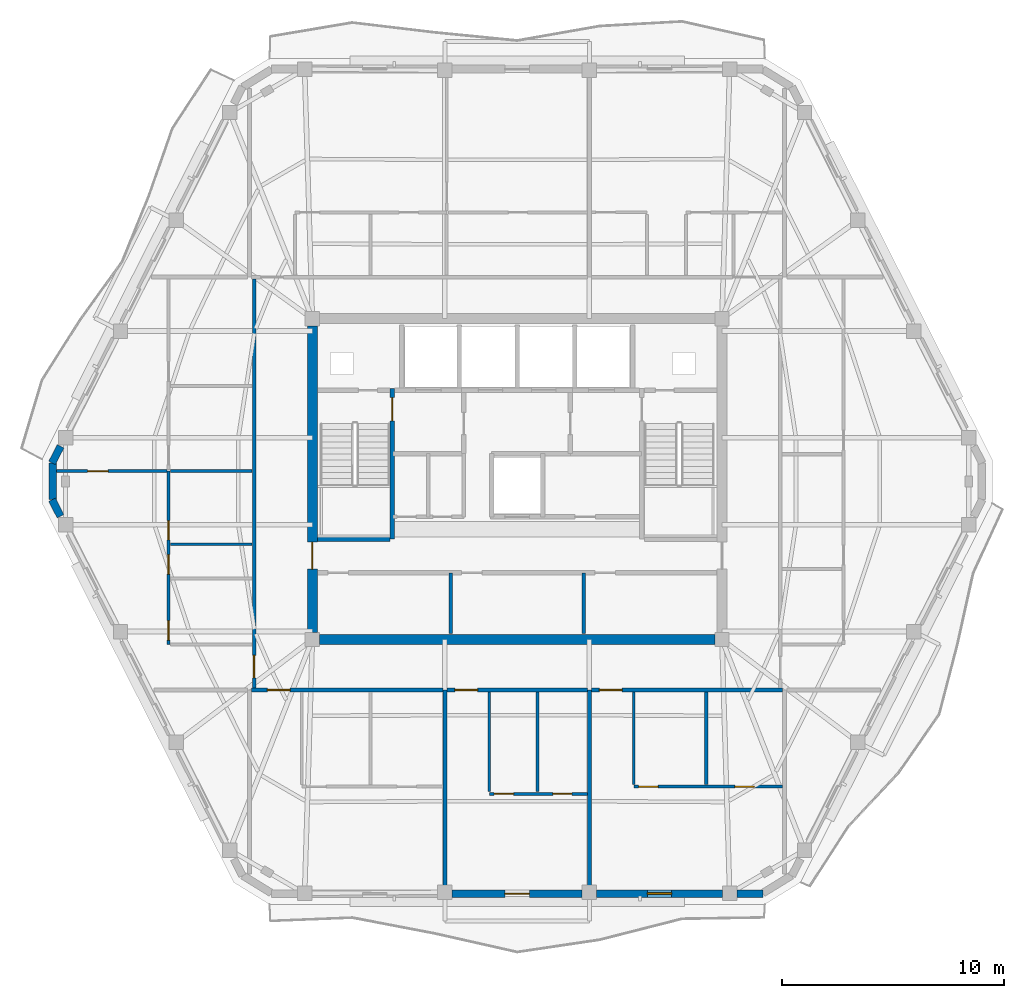
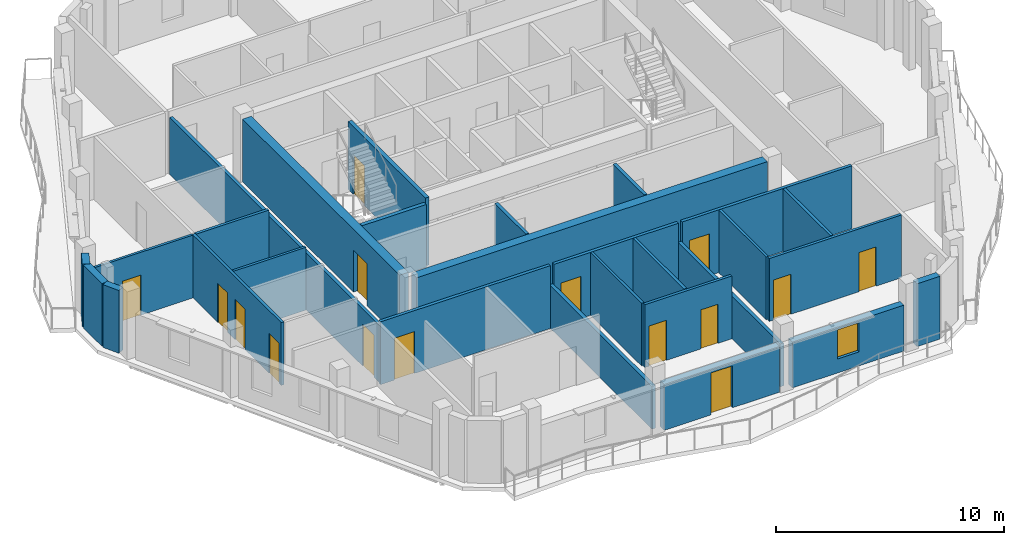
# One storey, part 4 of 11: 28 walls, 15 doors, 1 window, 16 openings.
"""IFC4 building model written with IfcOpenShell, lengths in metres."""

from ifc_helpers import new_model, si_unit, direction, frame, frame_2d, origin, place, context, subcontext, project, spatial, rectangle, extrude, material, layer, layer_set, type_object, element, fill, save


model = new_model("IFC4")

# Units and contexts
model_context = context("Model", 3, precision=1e-05, world=origin(), true_north=direction((0.0, 1.0)))
body_context = subcontext(model_context, "Body", "Model", "MODEL_VIEW")
ifc_project = project(units=[si_unit("LENGTHUNIT", "METRE"), si_unit("AREAUNIT", "SQUARE_METRE"), si_unit("VOLUMEUNIT", "CUBIC_METRE"), si_unit("PLANEANGLEUNIT", "RADIAN"), si_unit("MASSUNIT", "GRAM", prefix="KILO")], contexts=[model_context])

# Site, building, storey
site_placement = place(None, origin())
site = spatial("IfcSite", under=ifc_project, at=site_placement, CompositionType="ELEMENT")
building_placement = place(site_placement, origin())
building = spatial("IfcBuilding", under=site, at=building_placement, Name="Cinnabar Lancet Tower", CompositionType="ELEMENT")
storey_placement = place(building_placement, frame((0.0, 0.0, 274.449951171875)))
storey = spatial("IfcBuildingStorey", under=building, at=storey_placement, Name="L73", CompositionType="ELEMENT", Elevation=274.449951171875)

# Walls
ifc_material_1 = material(Name="Acoustic twin-stud gypsum partition", Category="gypsum")
ifc_layer_1 = layer(ifc_material_1, 0.159912109375)
ifc_layer_set_1 = layer_set([ifc_layer_1], Name="Acoustic twin-stud gypsum partition")
wall_type_1 = type_object("IfcWallType", Name="ARC-WL-CORR-160", PredefinedType="PARTITIONING", material=ifc_layer_set_1)
for number, where, z_axis, x_axis, name in (
    (1, (29.39990234375, 18.949951171875, 0.0), (0.0, 0.0, 1.0), (0.0, 1.0, 0.0), "CW-SB-2940-L73"),
    (2, (35.39990234375, 18.949951171875, 0.0), (0.0, 0.0, 1.0), (0.0, 1.0, 0.0), "CW-SB-3540-L73"),
):
    element("IfcWall", number, at=place(storey_placement, frame(where, z_axis=z_axis, x_axis=x_axis)), inside=storey, type_object=wall_type_1, Name=name, PredefinedType="PARTITIONING", context=body_context, shape_type="SweptSolid", body=[
        extrude(rectangle(XDim=2.72998046875, YDim=0.159912109375, at=frame_2d((1.364990234375, 0.0))), origin(), (0.0, 0.0, 1.0), 3.3701171875),
    ])

# Wall, opening, door
wall_1_placement = place(storey_placement, frame((20.445068359375, 16.39990234375, 0.0), z_axis=(0.0, 0.0, 1.0), x_axis=(1.0, 0.0, 0.0)))
wall_1 = element("IfcWall", 3, at=wall_1_placement, inside=storey, type_object=wall_type_1, Name="L73 Unit S01 Corridor Wall", PredefinedType="PARTITIONING", context=body_context, shape_type="SweptSolid", body=[
    extrude(rectangle(XDim=8.60595703125, YDim=0.159912109375, at=frame_2d((4.302978515625, 0.0))), origin(), (0.0, 0.0, 1.0), 3.3701171875),
])
opening_1_placement = place(wall_1_placement, frame((0.705078125, 0.0, 0.0)))
opening_1 = element("IfcOpeningElement", 4, at=opening_1_placement, cuts=wall_1, Name="Opening UD-01", PredefinedType="OPENING", context=body_context, shape_type="SweptSolid", body=[
    extrude(rectangle(XDim=1.02001953125, YDim=2.25, at=frame_2d((0.510009765625, 1.125))), frame((0.0, 0.08984375, 0.0), z_axis=(0.0, -1.0, 0.0), x_axis=(1.0, 0.0, 0.0)), (0.0, 0.0, 1.0), 0.179931640625),
])
ifc_material_2 = material(Name="Solid timber fire-rated apartment entrance door", Category="wood")
door_type_1 = type_object("IfcDoorType", Name="ARC-DR-UNIT", OperationType="NOTDEFINED", PredefinedType="DOOR", material=ifc_material_2)
door_1_placement = place(opening_1_placement, origin())
door_1 = element("IfcDoor", 5, at=door_1_placement, inside=storey, type_object=door_type_1, Name="DR-L73-S01-ENT", OperationType="SINGLE_SWING_RIGHT", OverallHeight=2.25, OverallWidth=1.02001953125, PredefinedType="DOOR", context=body_context, shape_type="SweptSolid", body=[
    extrude(rectangle(XDim=1.02001953125, YDim=2.25, at=frame_2d((0.510009765625, 1.125))), frame((0.0, 0.02490234375, 0.0), z_axis=(0.0, -1.0, 0.0), x_axis=(1.0, 0.0, 0.0)), (0.0, 0.0, 1.0), 0.050048828125),
])
fill(opening_1, door_1)

wall_2_placement = place(storey_placement, frame((29.240966796875, 16.39990234375, 0.0), z_axis=(0.0, 0.0, 1.0), x_axis=(1.0, 0.0, 0.0)))
wall_2 = element("IfcWall", 6, at=wall_2_placement, inside=storey, type_object=wall_type_1, Name="L73 Unit S02 Corridor Wall", PredefinedType="PARTITIONING", context=body_context, shape_type="SweptSolid", body=[
    extrude(rectangle(XDim=6.318115234375, YDim=0.159912109375, at=frame_2d((3.1591796875, 0.0))), origin(), (0.0, 0.0, 1.0), 3.3701171875),
])
opening_2_placement = place(wall_2_placement, frame((0.35498046875, 0.0, 0.0)))
opening_2 = element("IfcOpeningElement", 7, at=opening_2_placement, cuts=wall_2, Name="Opening UD-01", PredefinedType="OPENING", context=body_context, shape_type="SweptSolid", body=[
    extrude(rectangle(XDim=1.02001953125, YDim=2.25, at=frame_2d((0.510009765625, 1.125))), frame((0.0, 0.08984375, 0.0), z_axis=(0.0, -1.0, 0.0), x_axis=(1.0, 0.0, 0.0)), (0.0, 0.0, 1.0), 0.179931640625),
])
door_2_placement = place(opening_2_placement, origin())
door_2 = element("IfcDoor", 8, at=door_2_placement, inside=storey, type_object=door_type_1, Name="DR-L73-S02-ENT", OperationType="SINGLE_SWING_LEFT", OverallHeight=2.25, OverallWidth=1.02001953125, PredefinedType="DOOR", context=body_context, shape_type="SweptSolid", body=[
    extrude(rectangle(XDim=1.02001953125, YDim=2.25, at=frame_2d((0.510009765625, 1.125))), frame((0.0, 0.02490234375, 0.0), z_axis=(0.0, -1.0, 0.0), x_axis=(1.0, 0.0, 0.0)), (0.0, 0.0, 1.0), 0.050048828125),
])
fill(opening_2, door_2)

wall_3_placement = place(storey_placement, frame((35.7490234375, 16.39990234375, 0.0), z_axis=(0.0, 0.0, 1.0), x_axis=(1.0, 0.0, 0.0)))
wall_3 = element("IfcWall", 9, at=wall_3_placement, inside=storey, type_object=wall_type_1, Name="L73 Unit S03 Corridor Wall", PredefinedType="PARTITIONING", context=body_context, shape_type="SweptSolid", body=[
    extrude(rectangle(XDim=8.60595703125, YDim=0.159912109375, at=frame_2d((4.302978515625, 0.0))), origin(), (0.0, 0.0, 1.0), 3.3701171875),
])
opening_3_placement = place(wall_3_placement, frame((0.35498046875, 0.0, 0.0)))
opening_3 = element("IfcOpeningElement", 10, at=opening_3_placement, cuts=wall_3, Name="Opening UD-01", PredefinedType="OPENING", context=body_context, shape_type="SweptSolid", body=[
    extrude(rectangle(XDim=1.02001953125, YDim=2.25, at=frame_2d((0.510009765625, 1.125))), frame((0.0, 0.08984375, 0.0), z_axis=(0.0, -1.0, 0.0), x_axis=(1.0, 0.0, 0.0)), (0.0, 0.0, 1.0), 0.179931640625),
])
door_3_placement = place(opening_3_placement, origin())
door_3 = element("IfcDoor", 11, at=door_3_placement, inside=storey, type_object=door_type_1, Name="DR-L73-S03-ENT", OperationType="SINGLE_SWING_RIGHT", OverallHeight=2.25, OverallWidth=1.02001953125, PredefinedType="DOOR", context=body_context, shape_type="SweptSolid", body=[
    extrude(rectangle(XDim=1.02001953125, YDim=2.25, at=frame_2d((0.510009765625, 1.125))), frame((0.0, 0.02490234375, 0.0), z_axis=(0.0, -1.0, 0.0), x_axis=(1.0, 0.0, 0.0)), (0.0, 0.0, 1.0), 0.050048828125),
])
fill(opening_3, door_3)

wall_4_placement = place(storey_placement, frame((20.550048828125, 16.4951171875, 0.0), z_axis=(0.0, 0.0, 1.0), x_axis=(0.0, 1.0, 0.0)))
wall_4 = element("IfcWall", 12, at=wall_4_placement, inside=storey, type_object=wall_type_1, Name="UW-L73-W01-COR", PredefinedType="PARTITIONING", context=body_context, shape_type="SweptSolid", body=[
    extrude(rectangle(XDim=18.409912109375, YDim=0.159912109375, at=frame_2d((9.205078125, 0.0))), origin(), (0.0, 0.0, 1.0), 3.05712890625),
])
opening_4_placement = place(wall_4_placement, frame((0.449951171875, 0.0, 0.0)))
opening_4 = element("IfcOpeningElement", 13, at=opening_4_placement, cuts=wall_4, Name="Opening UD-01", PredefinedType="OPENING", context=body_context, shape_type="SweptSolid", body=[
    extrude(rectangle(XDim=1.02001953125, YDim=2.25, at=frame_2d((0.510009765625, 1.125))), frame((0.0, 0.08984375, 0.0), z_axis=(0.0, -1.0, 0.0), x_axis=(1.0, 0.0, 0.0)), (0.0, 0.0, 1.0), 0.179931640625),
])
door_4_placement = place(opening_4_placement, origin())
door_4 = element("IfcDoor", 14, at=door_4_placement, inside=storey, type_object=door_type_1, Name="DR-L73-W01-ENT", OperationType="SINGLE_SWING_RIGHT", OverallHeight=2.25, OverallWidth=1.02001953125, PredefinedType="DOOR", context=body_context, shape_type="SweptSolid", body=[
    extrude(rectangle(XDim=1.02001953125, YDim=2.25, at=frame_2d((0.510009765625, 1.125))), frame((0.0, 0.02490234375, 0.0), z_axis=(0.0, -1.0, 0.0), x_axis=(1.0, 0.0, 0.0)), (0.0, 0.0, 1.0), 0.050048828125),
])
fill(opening_4, door_4)

# Walls
ifc_material_3 = material(Name="Fire-rated twin-frame acoustic drywall", Category="gypsum")
ifc_layer_2 = layer(ifc_material_3, 0.179931640625)
ifc_layer_set_2 = layer_set([ifc_layer_2], Name="Fire-rated twin-frame acoustic drywall")
wall_type_2 = type_object("IfcWallType", Name="ARC-WL-PARTY-180", PredefinedType="PARTITIONING", material=ifc_layer_set_2)
for number, where, z_axis, x_axis, name in (
    (15, (29.14599609375, 7.405029296875, 0.0), (0.0, 0.0, 1.0), (0.0, 1.0, 0.0), "PW-L73-SPTY-291"),
    (16, (35.654052734375, 7.405029296875, 0.0), (0.0, 0.0, 1.0), (0.0, 1.0, 0.0), "PW-L73-SPTY-357"),
):
    element("IfcWall", number, at=place(storey_placement, frame(where, z_axis=z_axis, x_axis=x_axis)), inside=storey, type_object=wall_type_2, Name=name, PredefinedType="PARTITIONING", context=body_context, shape_type="SweptSolid", body=[
        extrude(rectangle(XDim=8.994873046875, YDim=0.179931640625, at=frame_2d((4.49755859375, 0.0))), origin(), (0.0, 0.0, 1.0), 2.2939453125),
    ])
ifc_material_4 = material(Name="Autoclaved aerated concrete blockwork", Category="masonry")
ifc_layer_3 = layer(ifc_material_4, 0.199951171875)
ifc_layer_set_3 = layer_set([ifc_layer_3], Name="Autoclaved aerated concrete blockwork")
wall_type_3 = type_object("IfcWallType", Name="ARC-WL-SHAFT-200", PredefinedType="PLUMBINGWALL", material=ifc_layer_set_3)
wall_5_placement = place(storey_placement, frame((23.405029296875, 23.199951171875, 0.0), z_axis=(0.0, 0.0, 1.0), x_axis=(1.0, 0.0, 0.0)))
element("IfcWall", 17, at=wall_5_placement, inside=storey, type_object=wall_type_3, Name="CW-ST1S-L73", PredefinedType="PLUMBINGWALL", context=body_context, shape_type="SweptSolid", body=[
    extrude(rectangle(XDim=3.27001953125, YDim=0.199951171875, at=frame_2d((1.635009765625, 0.0))), origin(), (0.0, 0.0, 1.0), 3.3701171875),
])
ifc_material_5 = material(Name="Gypsum plasterboard stud partition", Category="gypsum")
ifc_layer_4 = layer(ifc_material_5, 0.125)
ifc_layer_set_4 = layer_set([ifc_layer_4], Name="Gypsum plasterboard stud partition")
wall_type_4 = type_object("IfcWallType", Name="ARC-WL-UNIT-125", PredefinedType="PARTITIONING", material=ifc_layer_set_4)
wall_6_placement = place(storey_placement, frame((31.14599609375, 11.827880859375, 0.0), z_axis=(0.0, 0.0, 1.0), x_axis=(0.0, 1.0, 0.0)))
element("IfcWall", 18, at=wall_6_placement, inside=storey, type_object=wall_type_4, Name="UW-L73-S02-FOYE", PredefinedType="PARTITIONING", context=body_context, shape_type="SweptSolid", body=[
    extrude(rectangle(XDim=4.487060546875, YDim=0.125, at=frame_2d((2.24365234375, 0.0))), origin(), (0.0, 0.0, 1.0), 3.3701171875),
])
wall_7_placement = place(storey_placement, frame((37.654052734375, 12.15087890625, 0.0), z_axis=(0.0, 0.0, 1.0), x_axis=(0.0, 1.0, 0.0)))
element("IfcWall", 19, at=wall_7_placement, inside=storey, type_object=wall_type_4, Name="UW-L73-S03-FOYE", PredefinedType="PARTITIONING", context=body_context, shape_type="SweptSolid", body=[
    extrude(rectangle(XDim=4.1640625, YDim=0.125, at=frame_2d((2.08203125, 0.0))), origin(), (0.0, 0.0, 1.0), 3.3701171875),
])

# Wall, opening, door
wall_8_placement = place(storey_placement, frame((11.659912109375, 26.258056640625, 0.0), z_axis=(0.0, 0.0, 1.0), x_axis=(1.0, 0.0, 0.0)))
wall_8 = element("IfcWall", 20, at=wall_8_placement, inside=storey, type_object=wall_type_4, Name="UW-L73-W01-MBN", PredefinedType="PARTITIONING", context=body_context, shape_type="SweptSolid", body=[
    extrude(rectangle(XDim=4.965087890625, YDim=0.125, at=frame_2d((2.482421875, 0.0))), origin(), (0.0, 0.0, 1.0), 3.3701171875),
])
opening_5_placement = place(wall_8_placement, frame((1.39990234375, 0.0, 0.0)))
opening_5 = element("IfcOpeningElement", 21, at=opening_5_placement, cuts=wall_8, Name="Opening RD-01", PredefinedType="OPENING", context=body_context, shape_type="SweptSolid", body=[
    extrude(rectangle(XDim=0.919921875, YDim=2.14990234375, at=frame_2d((0.4599609375, 1.074951171875))), frame((0.0, 0.072509765625, 0.0), z_axis=(0.0, -1.0, 0.0), x_axis=(1.0, 0.0, 0.0)), (0.0, 0.0, 1.0), 0.14501953125),
])
ifc_material_6 = material(Name="Engineered timber bedroom door", Category="wood")
door_type_2 = type_object("IfcDoorType", Name="ARC-DR-ROOM", OperationType="NOTDEFINED", PredefinedType="DOOR", material=ifc_material_6)
door_5_placement = place(opening_5_placement, origin())
door_5 = element("IfcDoor", 22, at=door_5_placement, inside=storey, type_object=door_type_2, Name="DR-L73-W01-MBD", OperationType="SINGLE_SWING_RIGHT", OverallHeight=2.14990234375, OverallWidth=0.919921875, PredefinedType="DOOR", context=body_context, shape_type="SweptSolid", body=[
    extrude(rectangle(XDim=0.919921875, YDim=2.14990234375, at=frame_2d((0.4599609375, 1.074951171875))), frame((0.0, 0.02490234375, 0.0), z_axis=(0.0, -1.0, 0.0), x_axis=(1.0, 0.0, 0.0)), (0.0, 0.0, 1.0), 0.050048828125),
])
fill(opening_5, door_5)

# Wall
wall_9_placement = place(storey_placement, frame((16.784912109375, 22.967041015625, 0.0), z_axis=(0.0, 0.0, 1.0), x_axis=(1.0, 0.0, 0.0)))
element("IfcWall", 23, at=wall_9_placement, inside=storey, type_object=wall_type_4, Name="UW-L73-W01-UDV", PredefinedType="PARTITIONING", context=body_context, shape_type="SweptSolid", body=[
    extrude(rectangle(XDim=3.68017578125, YDim=0.125, at=frame_2d((1.840087890625, 0.0))), origin(), (0.0, 0.0, 1.0), 3.3701171875),
])

# Wall, openings, doors
ifc_material_7 = material(Name="Moisture-resistant cement-board plumbing wall", Category="masonry")
ifc_layer_5 = layer(ifc_material_7, 0.139892578125)
ifc_layer_set_5 = layer_set([ifc_layer_5], Name="Moisture-resistant cement-board plumbing wall")
wall_type_5 = type_object("IfcWallType", Name="ARC-WL-WET-140", PredefinedType="PLUMBINGWALL", material=ifc_layer_set_5)
wall_10_placement = place(storey_placement, frame((31.14599609375, 11.722900390625, 0.0), z_axis=(0.0, 0.0, 1.0), x_axis=(1.0, 0.0, 0.0)))
wall_10 = element("IfcWall", 24, at=wall_10_placement, inside=storey, type_object=wall_type_5, Name="UW-L73-S02-SPL", PredefinedType="PLUMBINGWALL", context=body_context, shape_type="SweptSolid", body=[
    extrude(rectangle(XDim=4.4130859375, YDim=0.139892578125, at=frame_2d((2.20654296875, 0.0))), origin(), (0.0, 0.0, 1.0), 3.3701171875),
])
opening_6_placement = place(wall_10_placement, frame((2.864013671875, 0.0, 0.0)))
opening_6 = element("IfcOpeningElement", 25, at=opening_6_placement, cuts=wall_10, Name="Opening BD-01", PredefinedType="OPENING", context=body_context, shape_type="SweptSolid", body=[
    extrude(rectangle(XDim=0.860107421875, YDim=2.10009765625, at=frame_2d((0.43017578125, 1.050048828125))), frame((0.0, 0.079833984375, 0.0), z_axis=(0.0, -1.0, 0.0), x_axis=(1.0, 0.0, 0.0)), (0.0, 0.0, 1.0), 0.159912109375),
])
opening_7_placement = place(wall_10_placement, frame((0.219970703125, 0.0, 0.0)))
opening_7 = element("IfcOpeningElement", 26, at=opening_7_placement, cuts=wall_10, Name="Opening RD-02", PredefinedType="OPENING", context=body_context, shape_type="SweptSolid", body=[
    extrude(rectangle(XDim=0.8798828125, YDim=2.14990234375, at=frame_2d((0.43994140625, 1.074951171875))), frame((0.0, 0.079833984375, 0.0), z_axis=(0.0, -1.0, 0.0), x_axis=(1.0, 0.0, 0.0)), (0.0, 0.0, 1.0), 0.159912109375),
])
ifc_material_8 = material(Name="Moisture-resistant timber bathroom door", Category="wood")
door_type_3 = type_object("IfcDoorType", Name="ARC-DR-BATH", OperationType="NOTDEFINED", PredefinedType="DOOR", material=ifc_material_8)
door_6_placement = place(opening_6_placement, origin())
door_6 = element("IfcDoor", 27, at=door_6_placement, inside=storey, type_object=door_type_3, Name="DR-L73-S02-BTH", OperationType="SINGLE_SWING_LEFT", OverallHeight=2.10009765625, OverallWidth=0.860107421875, PredefinedType="DOOR", context=body_context, shape_type="SweptSolid", body=[
    extrude(rectangle(XDim=0.860107421875, YDim=2.10009765625, at=frame_2d((0.43017578125, 1.050048828125))), frame((0.0, 0.02490234375, 0.0), z_axis=(0.0, -1.0, 0.0), x_axis=(1.0, 0.0, 0.0)), (0.0, 0.0, 1.0), 0.050048828125),
])
fill(opening_6, door_6)
ifc_material_9 = material(Name="Engineered timber study door", Category="wood")
door_type_4 = type_object("IfcDoorType", Name="ARC-DR-STUDY", OperationType="NOTDEFINED", PredefinedType="DOOR", material=ifc_material_9)
door_7_placement = place(opening_7_placement, origin())
door_7 = element("IfcDoor", 28, at=door_7_placement, inside=storey, type_object=door_type_4, Name="DR-L73-S02-KIT", OperationType="SINGLE_SWING_RIGHT", OverallHeight=2.14990234375, OverallWidth=0.8798828125, PredefinedType="DOOR", context=body_context, shape_type="SweptSolid", body=[
    extrude(rectangle(XDim=0.8798828125, YDim=2.14990234375, at=frame_2d((0.43994140625, 1.074951171875))), frame((0.0, 0.02490234375, 0.0), z_axis=(0.0, -1.0, 0.0), x_axis=(1.0, 0.0, 0.0)), (0.0, 0.0, 1.0), 0.050048828125),
])
fill(opening_7, door_7)

# Wall
wall_11_placement = place(storey_placement, frame((33.31005859375, 11.827880859375, 0.0), z_axis=(0.0, 0.0, 1.0), x_axis=(0.0, 1.0, 0.0)))
element("IfcWall", 29, at=wall_11_placement, inside=storey, type_object=wall_type_5, Name="UW-L73-S02-KDV", PredefinedType="PLUMBINGWALL", context=body_context, shape_type="SweptSolid", body=[
    extrude(rectangle(XDim=4.487060546875, YDim=0.139892578125, at=frame_2d((2.24365234375, 0.0))), origin(), (0.0, 0.0, 1.0), 3.3701171875),
])

# Wall, openings, doors
wall_12_placement = place(storey_placement, frame((37.654052734375, 12.0458984375, 0.0), z_axis=(0.0, 0.0, 1.0), x_axis=(1.0, 0.0, 0.0)))
wall_12 = element("IfcWall", 30, at=wall_12_placement, inside=storey, type_object=wall_type_5, Name="UW-L73-S03-SPL", PredefinedType="PLUMBINGWALL", context=body_context, shape_type="SweptSolid", body=[
    extrude(rectangle(XDim=6.700927734375, YDim=0.139892578125, at=frame_2d((3.3505859375, 0.0))), origin(), (0.0, 0.0, 1.0), 3.3701171875),
])
opening_8_placement = place(wall_12_placement, frame((4.555908203125, 0.0, 0.0)))
opening_8 = element("IfcOpeningElement", 31, at=opening_8_placement, cuts=wall_12, Name="Opening BD-01", PredefinedType="OPENING", context=body_context, shape_type="SweptSolid", body=[
    extrude(rectangle(XDim=0.860107421875, YDim=2.10009765625, at=frame_2d((0.43017578125, 1.050048828125))), frame((0.0, 0.079833984375, 0.0), z_axis=(0.0, -1.0, 0.0), x_axis=(1.0, 0.0, 0.0)), (0.0, 0.0, 1.0), 0.159912109375),
])
opening_9_placement = place(wall_12_placement, frame((0.219970703125, 0.0, 0.0)))
opening_9 = element("IfcOpeningElement", 32, at=opening_9_placement, cuts=wall_12, Name="Opening RD-02", PredefinedType="OPENING", context=body_context, shape_type="SweptSolid", body=[
    extrude(rectangle(XDim=0.8798828125, YDim=2.14990234375, at=frame_2d((0.43994140625, 1.074951171875))), frame((0.0, 0.079833984375, 0.0), z_axis=(0.0, -1.0, 0.0), x_axis=(1.0, 0.0, 0.0)), (0.0, 0.0, 1.0), 0.159912109375),
])
door_8_placement = place(opening_8_placement, origin())
door_8 = element("IfcDoor", 33, at=door_8_placement, inside=storey, type_object=door_type_3, Name="DR-L73-S03-BTH", OperationType="SINGLE_SWING_RIGHT", OverallHeight=2.10009765625, OverallWidth=0.860107421875, PredefinedType="DOOR", context=body_context, shape_type="SweptSolid", body=[
    extrude(rectangle(XDim=0.860107421875, YDim=2.10009765625, at=frame_2d((0.43017578125, 1.050048828125))), frame((0.0, 0.02490234375, 0.0), z_axis=(0.0, -1.0, 0.0), x_axis=(1.0, 0.0, 0.0)), (0.0, 0.0, 1.0), 0.050048828125),
])
fill(opening_8, door_8)
door_9_placement = place(opening_9_placement, origin())
door_9 = element("IfcDoor", 34, at=door_9_placement, inside=storey, type_object=door_type_4, Name="DR-L73-S03-KIT", OperationType="SINGLE_SWING_LEFT", OverallHeight=2.14990234375, OverallWidth=0.8798828125, PredefinedType="DOOR", context=body_context, shape_type="SweptSolid", body=[
    extrude(rectangle(XDim=0.8798828125, YDim=2.14990234375, at=frame_2d((0.43994140625, 1.074951171875))), frame((0.0, 0.02490234375, 0.0), z_axis=(0.0, -1.0, 0.0), x_axis=(1.0, 0.0, 0.0)), (0.0, 0.0, 1.0), 0.050048828125),
])
fill(opening_9, door_9)

# Wall
wall_13_placement = place(storey_placement, frame((40.916015625, 12.15087890625, 0.0), z_axis=(0.0, 0.0, 1.0), x_axis=(0.0, 1.0, 0.0)))
element("IfcWall", 35, at=wall_13_placement, inside=storey, type_object=wall_type_5, Name="UW-L73-S03-KDV", PredefinedType="PLUMBINGWALL", context=body_context, shape_type="SweptSolid", body=[
    extrude(rectangle(XDim=4.1640625, YDim=0.139892578125, at=frame_2d((2.08203125, 0.0))), origin(), (0.0, 0.0, 1.0), 3.3701171875),
])

# Wall, openings, doors
wall_14_placement = place(storey_placement, frame((16.699951171875, 18.449951171875, 0.0), z_axis=(0.0, 0.0, 1.0), x_axis=(0.0, 1.0, 0.0)))
wall_14 = element("IfcWall", 36, at=wall_14_placement, inside=storey, type_object=wall_type_5, Name="UW-L73-W01-SPL", PredefinedType="PLUMBINGWALL", context=body_context, shape_type="SweptSolid", body=[
    extrude(rectangle(XDim=7.80810546875, YDim=0.139892578125, at=frame_2d((3.904052734375, 0.0))), origin(), (0.0, 0.0, 1.0), 3.3701171875),
])
opening_10_placement = place(wall_14_placement, frame((0.199951171875, 0.0, 0.0)))
opening_10 = element("IfcOpeningElement", 37, at=opening_10_placement, cuts=wall_14, Name="Opening RD-02", PredefinedType="OPENING", context=body_context, shape_type="SweptSolid", body=[
    extrude(rectangle(XDim=0.8798828125, YDim=2.14990234375, at=frame_2d((0.43994140625, 1.074951171875))), frame((0.0, 0.079833984375, 0.0), z_axis=(0.0, -1.0, 0.0), x_axis=(1.0, 0.0, 0.0)), (0.0, 0.0, 1.0), 0.159912109375),
])
opening_11_placement = place(wall_14_placement, frame((3.1669921875, 0.0, 0.0)))
opening_11 = element("IfcOpeningElement", 38, at=opening_11_placement, cuts=wall_14, Name="Opening RD-02", PredefinedType="OPENING", context=body_context, shape_type="SweptSolid", body=[
    extrude(rectangle(XDim=0.8798828125, YDim=2.14990234375, at=frame_2d((0.43994140625, 1.074951171875))), frame((0.0, 0.079833984375, 0.0), z_axis=(0.0, -1.0, 0.0), x_axis=(1.0, 0.0, 0.0)), (0.0, 0.0, 1.0), 0.159912109375),
])
opening_12_placement = place(wall_14_placement, frame((4.717041015625, 0.0, 0.0)))
opening_12 = element("IfcOpeningElement", 39, at=opening_12_placement, cuts=wall_14, Name="Opening BD-01", PredefinedType="OPENING", context=body_context, shape_type="SweptSolid", body=[
    extrude(rectangle(XDim=0.860107421875, YDim=2.10009765625, at=frame_2d((0.43017578125, 1.050048828125))), frame((0.0, 0.079833984375, 0.0), z_axis=(0.0, -1.0, 0.0), x_axis=(1.0, 0.0, 0.0)), (0.0, 0.0, 1.0), 0.159912109375),
])
door_10_placement = place(opening_12_placement, origin())
door_10 = element("IfcDoor", 40, at=door_10_placement, inside=storey, type_object=door_type_3, Name="DR-L73-W01-BTH", OperationType="SINGLE_SWING_LEFT", OverallHeight=2.10009765625, OverallWidth=0.860107421875, PredefinedType="DOOR", context=body_context, shape_type="SweptSolid", body=[
    extrude(rectangle(XDim=0.860107421875, YDim=2.10009765625, at=frame_2d((0.43017578125, 1.050048828125))), frame((0.0, 0.02490234375, 0.0), z_axis=(0.0, -1.0, 0.0), x_axis=(1.0, 0.0, 0.0)), (0.0, 0.0, 1.0), 0.050048828125),
])
fill(opening_12, door_10)
door_11_placement = place(opening_10_placement, origin())
door_11 = element("IfcDoor", 41, at=door_11_placement, inside=storey, type_object=door_type_4, Name="DR-L73-W01-KIT", OperationType="SINGLE_SWING_LEFT", OverallHeight=2.14990234375, OverallWidth=0.8798828125, PredefinedType="DOOR", context=body_context, shape_type="SweptSolid", body=[
    extrude(rectangle(XDim=0.8798828125, YDim=2.14990234375, at=frame_2d((0.43994140625, 1.074951171875))), frame((0.0, 0.02490234375, 0.0), z_axis=(0.0, -1.0, 0.0), x_axis=(1.0, 0.0, 0.0)), (0.0, 0.0, 1.0), 0.050048828125),
])
fill(opening_10, door_11)
door_12_placement = place(opening_11_placement, origin())
door_12 = element("IfcDoor", 42, at=door_12_placement, inside=storey, type_object=door_type_4, Name="DR-L73-W01-UTL", OperationType="SINGLE_SWING_RIGHT", OverallHeight=2.14990234375, OverallWidth=0.8798828125, PredefinedType="DOOR", context=body_context, shape_type="SweptSolid", body=[
    extrude(rectangle(XDim=0.8798828125, YDim=2.14990234375, at=frame_2d((0.43994140625, 1.074951171875))), frame((0.0, 0.02490234375, 0.0), z_axis=(0.0, -1.0, 0.0), x_axis=(1.0, 0.0, 0.0)), (0.0, 0.0, 1.0), 0.050048828125),
])
fill(opening_11, door_12)

# Walls
wall_15_placement = place(storey_placement, frame((16.784912109375, 26.258056640625, 0.0), z_axis=(0.0, 0.0, 1.0), x_axis=(1.0, 0.0, 0.0)))
element("IfcWall", 43, at=wall_15_placement, inside=storey, type_object=wall_type_5, Name="UW-L73-W01-ENSN", PredefinedType="PLUMBINGWALL", context=body_context, shape_type="SweptSolid", body=[
    extrude(rectangle(XDim=3.68017578125, YDim=0.139892578125, at=frame_2d((1.840087890625, 0.0))), origin(), (0.0, 0.0, 1.0), 3.3701171875),
])
ifc_material_10 = material(Name="Cinnabar red clay brick", Category="masonry")
ifc_layer_6 = layer(ifc_material_10, 0.340087890625)
ifc_layer_set_6 = layer_set([ifc_layer_6], Name="Cinnabar red clay brick")
wall_type_6 = type_object("IfcWallType", Name="ENV-WL-BRK-RED-340", PredefinedType="STANDARD", material=ifc_layer_set_6)
wall_16_placement = place(storey_placement, frame((11.47705078125, 26.6201171875, 0.0), z_axis=(0.0, 0.0, 1.0), x_axis=(0.0, -1.0, 0.0)))
element("IfcWall", 44, at=wall_16_placement, inside=storey, type_object=wall_type_6, Name="L73 Chamfered Corner Brick Pier 6.1", PredefinedType="STANDARD", context=body_context, shape_type="SweptSolid", body=[
    extrude(rectangle(XDim=1.64013671875, YDim=0.340087890625, at=frame_2d((0.820068359375, 0.0))), origin(), (0.0, 0.0, 1.0), 3.3701171875),
])

# Wall, opening, door
wall_17_placement = place(storey_placement, frame((29.47509765625, 7.22998046875, 0.0), z_axis=(0.0, 0.0, 1.0), x_axis=(1.0, 0.0, 0.0)))
wall_17 = element("IfcWall", 45, at=wall_17_placement, inside=storey, type_object=wall_type_6, Name="L73 Face 1 Masonry Bay Wall 3", PredefinedType="STANDARD", context=body_context, shape_type="SweptSolid", body=[
    extrude(rectangle(XDim=5.849853515625, YDim=0.340087890625, at=frame_2d((2.9248046875, 0.0))), origin(), (0.0, 0.0, 1.0), 2.4599609375),
])
opening_13_placement = place(wall_17_placement, frame((2.375, 0.0, 0.0)))
opening_13 = element("IfcOpeningElement", 46, at=opening_13_placement, cuts=wall_17, Name="Opening TD-01", PredefinedType="OPENING", context=body_context, shape_type="SweptSolid", body=[
    extrude(rectangle(XDim=1.10009765625, YDim=2.25, at=frame_2d((0.550048828125, 1.125))), frame((0.0, 0.179931640625, 0.0), z_axis=(0.0, -1.0, 0.0), x_axis=(1.0, 0.0, 0.0)), (0.0, 0.0, 1.0), 0.360107421875),
])
ifc_material_11 = material(Name="Thermally broken low-E glazed balcony terrace door", Category="wood")
door_type_5 = type_object("IfcDoorType", Name="ARC-DR-BALC", OperationType="NOTDEFINED", PredefinedType="DOOR", material=ifc_material_11)
door_13_placement = place(opening_13_placement, origin())
door_13 = element("IfcDoor", 47, at=door_13_placement, inside=storey, type_object=door_type_5, Name="L73 Face 1 Glazed Terrace Door", OperationType="SINGLE_SWING_LEFT", OverallHeight=2.25, OverallWidth=1.10009765625, PredefinedType="DOOR", context=body_context, shape_type="SweptSolid", body=[
    extrude(rectangle(XDim=1.10009765625, YDim=2.25, at=frame_2d((0.550048828125, 1.125))), frame((0.0, 0.02490234375, 0.0), z_axis=(0.0, -1.0, 0.0), x_axis=(1.0, 0.0, 0.0)), (0.0, 0.0, 1.0), 0.050048828125),
])
fill(opening_13, door_13)

# Wall, opening, window
wall_18_placement = place(storey_placement, frame((35.98291015625, 7.22998046875, 0.0), z_axis=(0.0, 0.0, 1.0), x_axis=(1.0, 0.0, 0.0)))
wall_18 = element("IfcWall", 48, at=wall_18_placement, inside=storey, type_object=wall_type_6, Name="L73 Face 1 Masonry Bay Wall 4", PredefinedType="STANDARD", context=body_context, shape_type="SweptSolid", body=[
    extrude(rectangle(XDim=5.66015625, YDim=0.340087890625, at=frame_2d((2.830078125, 0.0))), origin(), (0.0, 0.0, 1.0), 2.4599609375),
])
opening_14_placement = place(wall_18_placement, frame((2.280029296875, 0.0, 0.75)))
opening_14 = element("IfcOpeningElement", 49, at=opening_14_placement, cuts=wall_18, Name="Opening WN-04", PredefinedType="OPENING", context=body_context, shape_type="SweptSolid", body=[
    extrude(rectangle(XDim=1.10009765625, YDim=1.56005859375, at=frame_2d((0.550048828125, 0.780029296875))), frame((0.0, 0.179931640625, 0.0), z_axis=(0.0, -1.0, 0.0), x_axis=(1.0, 0.0, 0.0)), (0.0, 0.0, 1.0), 0.360107421875),
])
ifc_material_12 = material(Name="Thermally broken bronze-anodized aluminium tall lancet window", Category="aluminium")
window_type = type_object("IfcWindowType", Name="ENV-WN-LANCET-1100", PartitioningType="SINGLE_PANEL", PredefinedType="WINDOW", material=ifc_material_12)
window_placement = place(opening_14_placement, origin())
window = element("IfcWindow", 50, at=window_placement, inside=storey, type_object=window_type, Name="L73 Face 1 Gothic Lancet Window 4", OverallHeight=1.56005859375, OverallWidth=1.10009765625, PartitioningType="SINGLE_PANEL", PredefinedType="WINDOW", context=body_context, shape_type="SweptSolid", body=[
    extrude(rectangle(XDim=1.10009765625, YDim=1.56005859375, at=frame_2d((0.550048828125, 0.780029296875))), frame((0.0, 0.030029296875, 0.0), z_axis=(0.0, -1.0, 0.0), x_axis=(1.0, 0.0, 0.0)), (0.0, 0.0, 1.0), 0.06005859375),
])
fill(opening_14, window)

# Walls
wall_19_placement = place(storey_placement, frame((42.301025390625, 7.22998046875, 0.0), z_axis=(0.0, 0.0, 1.0), x_axis=(1.0, 0.0, 0.0)))
element("IfcWall", 51, at=wall_19_placement, inside=storey, type_object=wall_type_6, Name="L73 Face 1 Masonry Bay Wall 5", PredefinedType="STANDARD", context=body_context, shape_type="SweptSolid", body=[
    extrude(rectangle(XDim=1.173095703125, YDim=0.340087890625, at=frame_2d((0.58642578125, 0.0))), origin(), (0.0, 0.0, 1.0), 3.3701171875),
])
wall_20_placement = place(storey_placement, frame((11.8349609375, 27.3759765625, 0.0), z_axis=(0.0, 0.0, 1.0), x_axis=(-0.45139691133, -0.892323275748, 0.0)))
element("IfcWall", 52, at=wall_20_placement, inside=storey, type_object=wall_type_6, Name="L73 Face 5 Masonry Bay Wall 5", PredefinedType="STANDARD", context=body_context, shape_type="SweptSolid", body=[
    extrude(rectangle(XDim=0.83935546875, YDim=0.340087890625, at=frame_2d((0.419677734375, 0.0))), origin(), (0.0, 0.0, 1.0), 3.3701171875),
])
wall_21_placement = place(storey_placement, frame((11.4560546875, 24.972900390625, 0.0), z_axis=(0.0, 0.0, 1.0), x_axis=(0.4515140893, -0.892263989615, 0.0)))
element("IfcWall", 53, at=wall_21_placement, inside=storey, type_object=wall_type_6, Name="L73 Face 6 Masonry Bay Wall 1", PredefinedType="STANDARD", context=body_context, shape_type="SweptSolid", body=[
    extrude(rectangle(XDim=0.839111328125, YDim=0.340087890625, at=frame_2d((0.41943359375, 0.0))), origin(), (0.0, 0.0, 1.0), 3.3701171875),
])
ifc_material_13 = material(Name="Concrete C50/60", Category="concrete")
ifc_layer_7 = layer(ifc_material_13, 0.449951171875)
ifc_layer_set_7 = layer_set([ifc_layer_7], Name="Concrete C50/60")
wall_type_7 = type_object("IfcWallType", Name="STR-WL-CORE-450", PredefinedType="SHEAR", material=ifc_layer_set_7)
wall_22_placement = place(storey_placement, frame((23.5, 18.675048828125, 0.0), z_axis=(0.0, 0.0, 1.0), x_axis=(1.0, 0.0, 0.0)))
element("IfcWall", 54, at=wall_22_placement, inside=storey, type_object=wall_type_7, Name="L73 Core Shear Wall S", PredefinedType="SHEAR", context=body_context, shape_type="SweptSolid", body=[
    extrude(rectangle(XDim=17.800048828125, YDim=0.449951171875, at=frame_2d((8.89990234375, 0.0))), origin(), (0.0, 0.0, 1.0), 3.3701171875),
])

# Wall, opening, door
wall_23_placement = place(storey_placement, frame((23.175048828125, 19.0, 0.0), z_axis=(0.0, 0.0, 1.0), x_axis=(0.0, 1.0, 0.0)))
wall_23 = element("IfcWall", 55, at=wall_23_placement, inside=storey, type_object=wall_type_7, Name="L73 Core Shear Wall W", PredefinedType="SHEAR", context=body_context, shape_type="SweptSolid", body=[
    extrude(rectangle(XDim=13.800048828125, YDim=0.449951171875, at=frame_2d((6.89990234375, 0.0))), origin(), (0.0, 0.0, 1.0), 3.3701171875),
])
opening_15_placement = place(wall_23_placement, frame((2.840087890625, 0.0, 0.0)))
opening_15 = element("IfcOpeningElement", 56, at=opening_15_placement, cuts=wall_23, Name="Opening FD-02", PredefinedType="OPENING", context=body_context, shape_type="SweptSolid", body=[
    extrude(rectangle(XDim=1.219970703125, YDim=2.25, at=frame_2d((0.60986328125, 1.125))), frame((0.0, 0.23486328125, 0.0), z_axis=(0.0, -1.0, 0.0), x_axis=(1.0, 0.0, 0.0)), (0.0, 0.0, 1.0), 0.469970703125),
])
ifc_material_14 = material(Name="Fire-rated double-vision core portal door", Category="wood")
door_type_6 = type_object("IfcDoorType", Name="ARC-DR-CPORT", OperationType="NOTDEFINED", PredefinedType="DOOR", material=ifc_material_14)
door_14_placement = place(opening_15_placement, origin())
door_14 = element("IfcDoor", 57, at=door_14_placement, inside=storey, type_object=door_type_6, Name="L73 West Core Lobby Fire Door", OperationType="SINGLE_SWING_RIGHT", OverallHeight=2.25, OverallWidth=1.219970703125, PredefinedType="DOOR", context=body_context, shape_type="SweptSolid", body=[
    extrude(rectangle(XDim=1.219970703125, YDim=2.25, at=frame_2d((0.60986328125, 1.125))), frame((0.0, 0.02490234375, 0.0), z_axis=(0.0, -1.0, 0.0), x_axis=(1.0, 0.0, 0.0)), (0.0, 0.0, 1.0), 0.050048828125),
])
fill(opening_15, door_14)

ifc_material_15 = material(Name="Concrete C50/60", Category="concrete")
ifc_layer_8 = layer(ifc_material_15, 0.199951171875)
ifc_layer_set_8 = layer_set([ifc_layer_8], Name="Concrete C50/60")
wall_type_8 = type_object("IfcWallType", Name="STR-WL-STAIR-200", PredefinedType="SHEAR", material=ifc_layer_set_8)
wall_24_placement = place(storey_placement, frame((26.780029296875, 23.199951171875, 0.0), z_axis=(0.0, 0.0, 1.0), x_axis=(0.0, 1.0, 0.0)))
wall_24 = element("IfcWall", 58, at=wall_24_placement, inside=storey, type_object=wall_type_8, Name="L73 Stair ST-1 Structural Enclosure Wall", PredefinedType="SHEAR", context=body_context, shape_type="SweptSolid", body=[
    extrude(rectangle(XDim=6.780029296875, YDim=0.199951171875, at=frame_2d((3.39013671875, 0.0))), origin(), (0.0, 0.0, 1.0), 3.650146484375),
])
opening_16_placement = place(wall_24_placement, frame((5.320068359375, 0.0, 0.0)))
opening_16 = element("IfcOpeningElement", 59, at=opening_16_placement, cuts=wall_24, Name="Opening SD-01", PredefinedType="OPENING", context=body_context, shape_type="SweptSolid", body=[
    extrude(rectangle(XDim=1.050048828125, YDim=2.14990234375, at=frame_2d((0.52490234375, 1.074951171875))), frame((0.0, 0.10986328125, 0.0), z_axis=(0.0, -1.0, 0.0), x_axis=(1.0, 0.0, 0.0)), (0.0, 0.0, 1.0), 0.219970703125),
])
ifc_material_16 = material(Name="Fire-rated steel stair exit door", Category="steel")
door_type_7 = type_object("IfcDoorType", Name="ARC-DR-STAIR", OperationType="NOTDEFINED", PredefinedType="DOOR", material=ifc_material_16)
door_15_placement = place(opening_16_placement, origin())
door_15 = element("IfcDoor", 60, at=door_15_placement, inside=storey, type_object=door_type_7, Name="L73 Stair ST-1 Fire Door", OperationType="SINGLE_SWING_LEFT", OverallHeight=2.14990234375, OverallWidth=1.050048828125, PredefinedType="DOOR", context=body_context, shape_type="SweptSolid", body=[
    extrude(rectangle(XDim=1.050048828125, YDim=2.14990234375, at=frame_2d((0.52490234375, 1.074951171875))), frame((0.0, 0.02490234375, 0.0), z_axis=(0.0, -1.0, 0.0), x_axis=(1.0, 0.0, 0.0)), (0.0, 0.0, 1.0), 0.050048828125),
])
fill(opening_16, door_15)

save(model, "model.ifc")
